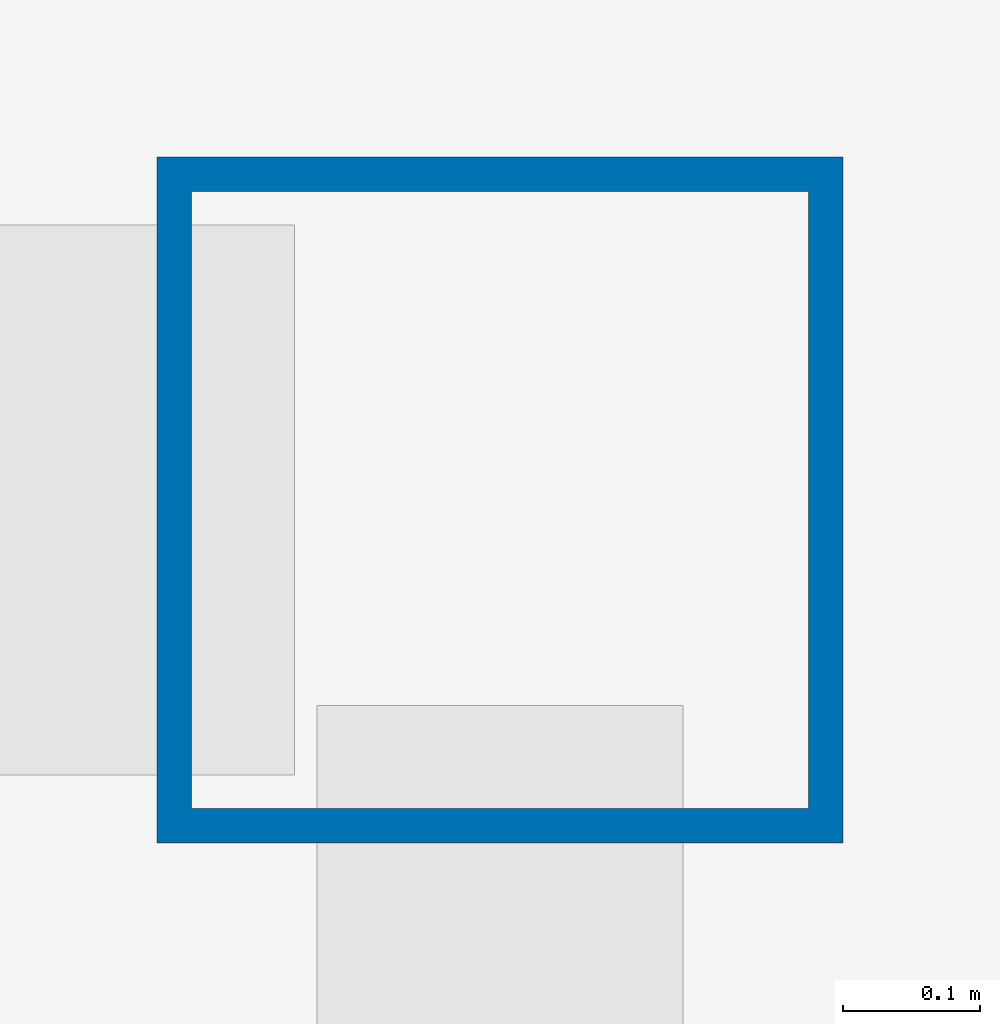
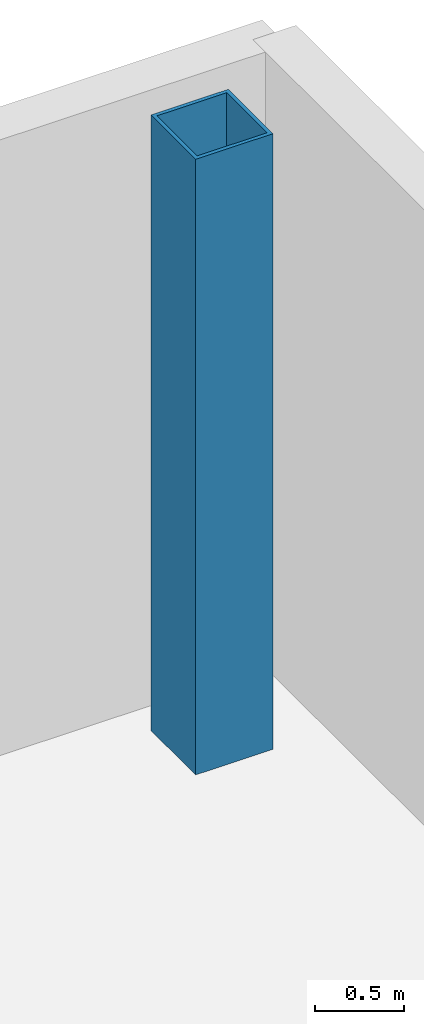
# One storey, part 5 of 28: 1 column.
"""IFC4 building model written with IfcOpenShell, lengths in metres."""

import ifcopenshell
import ifcopenshell.guid

model = None  # the IFC model being written
_history = None  # IfcOwnerHistory: only IFC2X3 demands one
_inside = {}  # id of a spatial element -> (the spatial element, [elements in it])
_under = {}  # id of a project, library or spatial element -> (it, [spatial elements below it])
_declared = {}  # id of a project -> (the project, [libraries it declares])
_typed = {}  # id of a type object -> (the type object, [elements of that type])
_made_of = {}  # id of a material, layer set ... -> (it, [elements and type objects made of it])


def new_model(schema):
    """Start an empty IFC model of exactly this schema.

    Asked for "IFC4X3", IfcOpenShell would pick the latest addendum, in which some entities
    have other attributes; the version numbers below select the first issue.
    IFC2X3 requires an IfcOwnerHistory on every rooted entity: one is made here for all.
    """
    global model, _history
    if schema == "IFC4X3":
        model = ifcopenshell.file(schema_version=(4, 3, 0, 0))
    else:
        model = ifcopenshell.file(schema=schema)
    _inside.clear()
    _under.clear()
    _declared.clear()
    _typed.clear()
    _made_of.clear()
    _history = None
    if model.schema == "IFC2X3":
        org = make("IfcOrganization", Name="unknown")
        user = make(
            "IfcPersonAndOrganization",
            ThePerson=make("IfcPerson", FamilyName="unknown"),
            TheOrganization=org,
        )
        app = make(
            "IfcApplication",
            ApplicationDeveloper=org,
            Version="unknown",
            ApplicationFullName="unknown",
            ApplicationIdentifier="unknown",
        )
        _history = make(
            "IfcOwnerHistory",
            OwningUser=user,
            OwningApplication=app,
            ChangeAction="ADDED",
            CreationDate=0,
        )
    return model


def make(cls, **values):
    """One entity of the class cls with the attributes given. An attribute that is None is left unset."""
    return model.create_entity(
        cls, **{name: value for name, value in values.items() if value is not None}
    )


def rooted(cls, **values):
    """An entity with a GlobalId (a new one), such as an element, a storey or a relation."""
    return make(cls, GlobalId=ifcopenshell.guid.new(), OwnerHistory=_history, **values)


def si_unit(unit_type, name, prefix=None):
    """IfcSIUnit, for example si_unit("LENGTHUNIT", "METRE", prefix="MILLI")."""
    return make("IfcSIUnit", UnitType=unit_type, Prefix=prefix, Name=name)


def assignment(units):
    """IfcUnitAssignment: the units of a project."""
    return None if units is None else make("IfcUnitAssignment", Units=units)


def point(xyz):
    """IfcCartesianPoint."""
    return None if xyz is None else make("IfcCartesianPoint", Coordinates=xyz)


def direction(xyz):
    """IfcDirection."""
    return None if xyz is None else make("IfcDirection", DirectionRatios=xyz)


def frame(location, z_axis=None, x_axis=None):
    """IfcAxis2Placement3D, a coordinate frame: its origin and axes. An axis left out is left unset."""
    return make(
        "IfcAxis2Placement3D",
        Location=point(location),
        Axis=direction(z_axis),
        RefDirection=direction(x_axis),
    )


def frame_2d(location, x_axis=None):
    """IfcAxis2Placement2D, a coordinate frame in the plane: its origin and x axis."""
    return make(
        "IfcAxis2Placement2D", Location=point(location), RefDirection=direction(x_axis)
    )


def origin():
    """The frame at (0, 0, 0) with its axes left unset."""
    return frame((0.0, 0.0, 0.0))


def origin_2d():
    """The frame at (0, 0) in the plane with its x axis left unset."""
    return frame_2d((0.0, 0.0))


def place(relative_to, where):
    """IfcLocalPlacement: puts the frame where relative to a parent placement (None: the world)."""
    return make(
        "IfcLocalPlacement", PlacementRelTo=relative_to, RelativePlacement=where
    )


def context(
    kind, dimensions, precision=None, world=None, true_north=None, identifier=None
):
    """IfcGeometricRepresentationContext, for example the 3D "Model" context."""
    return make(
        "IfcGeometricRepresentationContext",
        ContextIdentifier=identifier,
        ContextType=kind,
        CoordinateSpaceDimension=dimensions,
        Precision=precision,
        WorldCoordinateSystem=world,
        TrueNorth=true_north,
    )


def subcontext(parent, identifier, kind, view, scale=None):
    """IfcGeometricRepresentationSubContext, for example "Body" below "Model"."""
    return make(
        "IfcGeometricRepresentationSubContext",
        ContextIdentifier=identifier,
        ContextType=kind,
        ParentContext=parent,
        TargetScale=scale,
        TargetView=view,
    )


def project(units=None, contexts=None):
    """IfcProject with its units and contexts."""
    return rooted(
        "IfcProject",
        Name="project",
        RepresentationContexts=contexts,
        UnitsInContext=assignment(units),
    )


def spatial(cls, under=None, at=None, **own):
    """A site, building, storey or space (cls), placed at a placement, below another one or the project."""
    s = rooted(cls, ObjectPlacement=at, **own)
    if under is not None:
        _under.setdefault(under.id(), (under, []))[1].append(s)
    return s


def profile(cls, at=None, kind="AREA", **sizes):
    """A parametric profile (cls). Its sizes go by their IFC names, for example OverallWidth=200.0."""
    return make(cls, ProfileType=kind, Position=at, **sizes)


def hollow_rectangle(**sizes):
    """IfcRectangleHollowProfileDef."""
    return profile("IfcRectangleHollowProfileDef", **sizes)


def extrude(swept, where, along, depth):
    """IfcExtrudedAreaSolid: the profile swept, set in the frame where, extruded along a direction by depth."""
    return make(
        "IfcExtrudedAreaSolid",
        SweptArea=swept,
        Position=where,
        ExtrudedDirection=direction(along),
        Depth=depth,
    )


def shape(context_of_items, identifier, shape_type, items):
    """IfcShapeRepresentation: the items that make up one representation, for example the "Body"."""
    return make(
        "IfcShapeRepresentation",
        ContextOfItems=context_of_items,
        RepresentationIdentifier=identifier,
        RepresentationType=shape_type,
        Items=items,
    )


def source(mapping_origin, context_of_items, identifier, shape_type, items):
    """IfcRepresentationMap: a shape defined once, which mapped items show again and again."""
    return make(
        "IfcRepresentationMap",
        MappingOrigin=mapping_origin,
        MappedRepresentation=shape(context_of_items, identifier, shape_type, items),
    )


def transform(
    local_origin,
    x_axis=None,
    y_axis=None,
    z_axis=None,
    scale=None,
    scale2=None,
    scale3=None,
    uniform=True,
):
    """IfcCartesianTransformationOperator3D, or its non-uniform kind. x_axis, y_axis, z_axis: its Axis1, 2, 3."""
    if uniform:
        return make(
            "IfcCartesianTransformationOperator3D",
            Axis1=direction(x_axis),
            Axis2=direction(y_axis),
            LocalOrigin=point(local_origin),
            Scale=scale,
            Axis3=direction(z_axis),
        )
    return make(
        "IfcCartesianTransformationOperator3DnonUniform",
        Axis1=direction(x_axis),
        Axis2=direction(y_axis),
        LocalOrigin=point(local_origin),
        Scale=scale,
        Axis3=direction(z_axis),
        Scale2=scale2,
        Scale3=scale3,
    )


def mapped(mapping_source, mapping_target):
    """IfcMappedItem: shows the shape of a source again, moved by a transform."""
    return make(
        "IfcMappedItem", MappingSource=mapping_source, MappingTarget=mapping_target
    )


def material(Name=None, Category=None):
    """IfcMaterial."""
    return make("IfcMaterial", Name=Name, Category=Category)


def material_profile(
    of_material, cross_section, Name=None, Category=None, Priority=None
):
    """IfcMaterialProfile: a cross section and its material."""
    return make(
        "IfcMaterialProfile",
        Name=Name,
        Material=of_material,
        Profile=cross_section,
        Priority=Priority,
        Category=Category,
    )


def profile_set(profiles, Name=None, composite=None):
    """IfcMaterialProfileSet."""
    return make(
        "IfcMaterialProfileSet",
        Name=Name,
        MaterialProfiles=profiles,
        CompositeProfile=composite,
    )


def made_of(thing, what):
    """Note that an element or type object is made of a material, layer set ...; save() writes the relation."""
    if what is not None:
        _made_of.setdefault(what.id(), (what, []))[1].append(thing)
    return thing


def type_object(cls, material=None, **own):
    """A type object (cls), such as IfcWallType, which elements share."""
    return made_of(rooted(cls, **own), material)


def element(
    cls,
    number,
    at=None,
    inside=None,
    cuts=None,
    type_object=None,
    material=None,
    context=None,
    identifier="Body",
    shape_type=None,
    held_by="IfcProductDefinitionShape",
    body=None,
    shapes=None,
    **own,
):
    """One element of the class cls, such as IfcWall. Its Tag is "e" and its number.

    at: its placement. inside: the storey or other place that contains it. cuts: it is an
    opening in that element (IfcRelVoidsElement). A single representation is given by context,
    identifier, shape_type and body (its items); several are given by shapes. held_by: the class
    of the entity that holds the representations. save() writes the other relations.
    """
    e = rooted(cls, Tag="e%d" % number, ObjectPlacement=at, **own)
    if body is not None:
        shapes = [shape(context, identifier, shape_type, body)]
    if shapes is not None:
        e.Representation = make(held_by, Representations=shapes)
    if inside is not None:
        _inside.setdefault(inside.id(), (inside, []))[1].append(e)
    if cuts is not None:
        rooted(
            "IfcRelVoidsElement", RelatingBuildingElement=cuts, RelatedOpeningElement=e
        )
    if type_object is not None:
        _typed.setdefault(type_object.id(), (type_object, []))[1].append(e)
    return made_of(e, material)


def aggregate(whole, parts):
    """IfcRelAggregates: a whole, such as a stair, and the parts it consists of."""
    return rooted("IfcRelAggregates", RelatingObject=whole, RelatedObjects=parts)


def save(model, path):
    """Write the relations noted so far, then the file.

    IfcRelAggregates (storeys below a building ...), IfcRelContainedInSpatialStructure (elements
    in a storey), IfcRelDefinesByType, IfcRelAssociatesMaterial and IfcRelDeclares: one each for
    every whole, place, type object, material and project.
    """
    for whole, parts in _under.values():
        aggregate(whole, parts)
    for where, things in _inside.values():
        rooted(
            "IfcRelContainedInSpatialStructure",
            RelatedElements=things,
            RelatingStructure=where,
        )
    for kind, things in _typed.values():
        rooted("IfcRelDefinesByType", RelatedObjects=things, RelatingType=kind)
    for what, things in _made_of.values():
        rooted("IfcRelAssociatesMaterial", RelatedObjects=things, RelatingMaterial=what)
    for by, libraries in _declared.values():
        rooted("IfcRelDeclares", RelatingContext=by, RelatedDefinitions=libraries)
    model.write(path)


model = new_model("IFC4")

# Units and contexts
model_context = context("Model", 3, precision=1e-05, world=origin(), true_north=direction((0.0, 1.0)))
body_context = subcontext(model_context, "Body", "Model", "MODEL_VIEW")
ifc_project = project(units=[si_unit("LENGTHUNIT", "METRE"), si_unit("AREAUNIT", "SQUARE_METRE"), si_unit("VOLUMEUNIT", "CUBIC_METRE"), si_unit("PLANEANGLEUNIT", "RADIAN"), si_unit("MASSUNIT", "GRAM", prefix="KILO")], contexts=[model_context])

# Site, building, storey
site_placement = place(None, origin())
site = spatial("IfcSite", under=ifc_project, at=site_placement, CompositionType="ELEMENT")
building_placement = place(site_placement, origin())
building = spatial("IfcBuilding", under=site, at=building_placement, Name="Kolveth Station Tower", CompositionType="ELEMENT")
storey_placement = place(building_placement, frame((0.0, 0.0, 18.0)))
storey = spatial("IfcBuildingStorey", under=building, at=storey_placement, Name="L04", CompositionType="ELEMENT", Elevation=18.0)

# Column
ifc_material = material(Name="Steel S355", Category="steel")
ifc_material_profile = material_profile(ifc_material, hollow_rectangle(XDim=0.5, YDim=0.5, WallThickness=0.02490234375, at=origin_2d()), Name="HSS500x500x25")
ifc_profile_set = profile_set([ifc_material_profile], Name="Steel S355")
column_type = type_object("IfcColumnType", Name="Col_SC2", PredefinedType="COLUMN", material=ifc_profile_set)
shared_shape = source(origin(), body_context, "Body", "SweptSolid", [
    extrude(hollow_rectangle(XDim=0.5, YDim=0.5, WallThickness=0.02490234375, at=origin_2d()), origin(), (0.0, 0.0, 1.0), 4.199951171875),
])
column_placement = place(storey_placement, frame((70.699951171875, 39.75, 0.0), z_axis=(0.0, 0.0, 1.0), x_axis=(1.0, 0.0, 0.0)))
element("IfcColumn", 1, at=column_placement, inside=storey, type_object=column_type, Name="L04 Station Column SE-4-6", PredefinedType="COLUMN", context=body_context, shape_type="MappedRepresentation", body=[
    mapped(shared_shape, transform((0.0, 0.0, 0.0), x_axis=(1.0, 0.0, 0.0), y_axis=(0.0, 1.0, 0.0), z_axis=(0.0, 0.0, 1.0), scale=1.0)),
])

save(model, "model.ifc")
